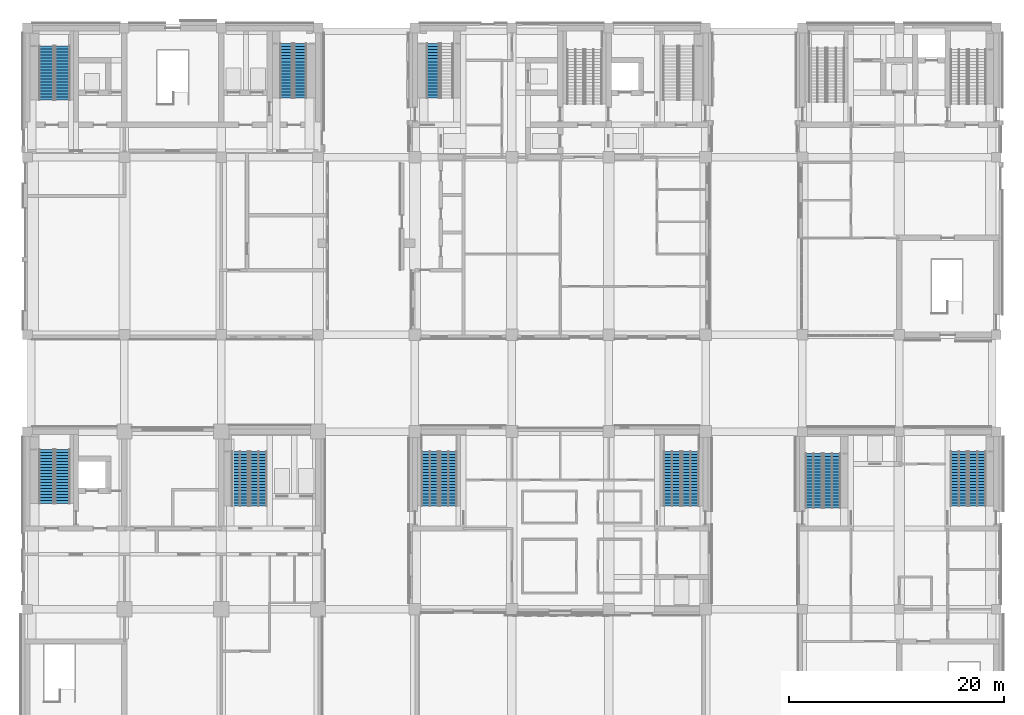
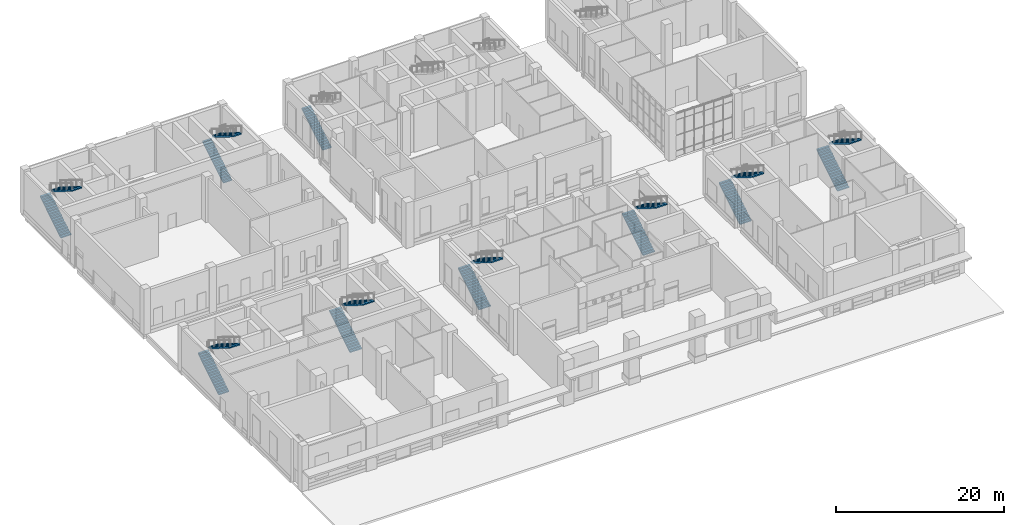
# One storey, part 20 of 35: 17 stair flights, 9 elements without a shape of their own.
"""IFC4 building model written with IfcOpenShell, lengths in metres."""

from ifc_helpers import new_model, si_unit, direction, frame, origin, place, context, subcontext, project, spatial, polyline, outline, extrude, material, type_object, element, aggregate, save


model = new_model("IFC4")

# Units and contexts
model_context = context("Model", 3, precision=1e-05, world=origin(), true_north=direction((0.0, 1.0)))
body_context = subcontext(model_context, "Body", "Model", "MODEL_VIEW")
ifc_project = project(units=[si_unit("LENGTHUNIT", "METRE"), si_unit("AREAUNIT", "SQUARE_METRE"), si_unit("VOLUMEUNIT", "CUBIC_METRE"), si_unit("PLANEANGLEUNIT", "RADIAN"), si_unit("MASSUNIT", "GRAM", prefix="KILO")], contexts=[model_context])

# Site, building, storey
site_placement = place(None, origin())
site = spatial("IfcSite", under=ifc_project, at=site_placement, CompositionType="ELEMENT")
building_placement = place(site_placement, origin())
building = spatial("IfcBuilding", under=site, at=building_placement, Name="Aurelan Courthouse", CompositionType="ELEMENT")
storey_placement = place(building_placement, origin())
storey = spatial("IfcBuildingStorey", under=building, at=storey_placement, Name="L00", CompositionType="ELEMENT", Elevation=0.0)

# Stair, stair flight
ifc_material = material(Name="Concrete C30", Category="concrete")
stair_type_1 = type_object("IfcStairType", Name="Half-turn stair 1200 wide 38 risers", PredefinedType="HALF_TURN_STAIR", material=ifc_material)
stair_1_placement = place(storey_placement, origin())
stair_1 = element("IfcStair", 1, at=stair_1_placement, inside=storey, type_object=stair_type_1, Name="Stair CS-2-L00", PredefinedType="HALF_TURN_STAIR")
stair_flight_type_1 = type_object("IfcStairFlightType", Name="Stair flight 1200 wide 19 risers", PredefinedType="STRAIGHT", material=ifc_material)
stair_flight_1_placement = place(storey_placement, frame((37.659912109375, 59.510009765625, 0.0), z_axis=(0.0, 0.0, 1.0), x_axis=(0.0, 1.0, 0.0)))
stair_flight_1 = element("IfcStairFlight", 2, at=stair_flight_1_placement, type_object=stair_flight_type_1, Name="Stair CS-2-L00 flight 1", NumberOfRisers=19, NumberOfTreads=18, PredefinedType="STRAIGHT", RiserHeight=0.173684211, TreadLength=0.28, context=body_context, shape_type="SweptSolid", body=[
    extrude(outline(polyline([(0.0, 0.0), (0.0, 0.173583984375), (0.280029296875, 0.173583984375), (0.280029296875, 0.347412109375), (0.56005859375, 0.347412109375), (0.56005859375, 0.52099609375), (0.840087890625, 0.52099609375), (0.840087890625, 0.69482421875), (1.1201171875, 0.69482421875), (1.1201171875, 0.868408203125), (1.39990234375, 0.868408203125), (1.39990234375, 1.0419921875), (1.679931640625, 1.0419921875), (1.679931640625, 1.2158203125), (1.9599609375, 1.2158203125), (1.9599609375, 1.389404296875), (2.239990234375, 1.389404296875), (2.239990234375, 1.563232421875), (2.52001953125, 1.563232421875), (2.52001953125, 1.73681640625), (2.800048828125, 1.73681640625), (2.800048828125, 1.91064453125), (3.080078125, 1.91064453125), (3.080078125, 2.084228515625), (3.360107421875, 2.084228515625), (3.360107421875, 2.2578125), (3.639892578125, 2.2578125), (3.639892578125, 2.431640625), (3.919921875, 2.431640625), (3.919921875, 2.605224609375), (4.199951171875, 2.605224609375), (4.199951171875, 2.779052734375), (4.47998046875, 2.779052734375), (4.47998046875, 2.95263671875), (4.760009765625, 2.95263671875), (4.760009765625, 3.126220703125), (5.0400390625, 3.126220703125), (5.0400390625, 3.300048828125), (5.0400390625, 2.949951171875), (0.284423828125, 0.0), (0.0, 0.0)])), frame((0.0, 0.60009765625, 0.0), z_axis=(0.0, -1.0, 0.0), x_axis=(1.0, 0.0, 0.0)), (0.0, 0.0, 1.0), 1.199951171875),
])
aggregate(stair_1, [stair_flight_1])

# Stair, stair flights
stair_2_placement = place(storey_placement, origin())
stair_2 = element("IfcStair", 3, at=stair_2_placement, inside=storey, type_object=stair_type_1, Name="Stair CS-6-L00", PredefinedType="HALF_TURN_STAIR")
stair_flight_2_placement = place(storey_placement, frame((24.0400390625, 59.510009765625, 0.0), z_axis=(0.0, 0.0, 1.0), x_axis=(0.0, 1.0, 0.0)))
stair_flight_2 = element("IfcStairFlight", 4, at=stair_flight_2_placement, type_object=stair_flight_type_1, Name="Stair CS-6-L00 flight 1", NumberOfRisers=19, NumberOfTreads=18, PredefinedType="STRAIGHT", RiserHeight=0.173684211, TreadLength=0.28, context=body_context, shape_type="SweptSolid", body=[
    extrude(outline(polyline([(0.0, 0.0), (0.0, 0.173583984375), (0.280029296875, 0.173583984375), (0.280029296875, 0.347412109375), (0.56005859375, 0.347412109375), (0.56005859375, 0.52099609375), (0.840087890625, 0.52099609375), (0.840087890625, 0.69482421875), (1.1201171875, 0.69482421875), (1.1201171875, 0.868408203125), (1.39990234375, 0.868408203125), (1.39990234375, 1.0419921875), (1.679931640625, 1.0419921875), (1.679931640625, 1.2158203125), (1.9599609375, 1.2158203125), (1.9599609375, 1.389404296875), (2.239990234375, 1.389404296875), (2.239990234375, 1.563232421875), (2.52001953125, 1.563232421875), (2.52001953125, 1.73681640625), (2.800048828125, 1.73681640625), (2.800048828125, 1.91064453125), (3.080078125, 1.91064453125), (3.080078125, 2.084228515625), (3.360107421875, 2.084228515625), (3.360107421875, 2.2578125), (3.639892578125, 2.2578125), (3.639892578125, 2.431640625), (3.919921875, 2.431640625), (3.919921875, 2.605224609375), (4.199951171875, 2.605224609375), (4.199951171875, 2.779052734375), (4.47998046875, 2.779052734375), (4.47998046875, 2.95263671875), (4.760009765625, 2.95263671875), (4.760009765625, 3.126220703125), (5.0400390625, 3.126220703125), (5.0400390625, 3.300048828125), (5.0400390625, 2.949951171875), (0.284423828125, 0.0), (0.0, 0.0)])), frame((0.0, 0.60009765625, 0.0), z_axis=(0.0, -1.0, 0.0), x_axis=(1.0, 0.0, 0.0)), (0.0, 0.0, 1.0), 1.199951171875),
])
stair_flight_3_placement = place(storey_placement, frame((25.340087890625, 64.550048828125, 3.300048828125), z_axis=(0.0, 0.0, 1.0), x_axis=(0.0, -1.0, 0.0)))
stair_flight_3 = element("IfcStairFlight", 5, at=stair_flight_3_placement, type_object=stair_flight_type_1, Name="Stair CS-6-L00 flight 2", NumberOfRisers=19, NumberOfTreads=18, PredefinedType="STRAIGHT", RiserHeight=0.173684211, TreadLength=0.28, context=body_context, shape_type="SweptSolid", body=[
    extrude(outline(polyline([(0.0, 0.0), (0.0, 0.173583984375), (0.280029296875, 0.173583984375), (0.280029296875, 0.347412109375), (0.56005859375, 0.347412109375), (0.56005859375, 0.52099609375), (0.840087890625, 0.52099609375), (0.840087890625, 0.69482421875), (1.1201171875, 0.69482421875), (1.1201171875, 0.868408203125), (1.39990234375, 0.868408203125), (1.39990234375, 1.0419921875), (1.679931640625, 1.0419921875), (1.679931640625, 1.2158203125), (1.9599609375, 1.2158203125), (1.9599609375, 1.389404296875), (2.239990234375, 1.389404296875), (2.239990234375, 1.563232421875), (2.52001953125, 1.563232421875), (2.52001953125, 1.73681640625), (2.800048828125, 1.73681640625), (2.800048828125, 1.91064453125), (3.080078125, 1.91064453125), (3.080078125, 2.084228515625), (3.360107421875, 2.084228515625), (3.360107421875, 2.2578125), (3.639892578125, 2.2578125), (3.639892578125, 2.431640625), (3.919921875, 2.431640625), (3.919921875, 2.605224609375), (4.199951171875, 2.605224609375), (4.199951171875, 2.779052734375), (4.47998046875, 2.779052734375), (4.47998046875, 2.95263671875), (4.760009765625, 2.95263671875), (4.760009765625, 3.126220703125), (5.0400390625, 3.126220703125), (5.0400390625, 3.300048828125), (5.0400390625, 2.949951171875), (0.284423828125, 0.0), (0.0, 0.0)])), frame((0.0, 0.60009765625, 0.0), z_axis=(0.0, -1.0, 0.0), x_axis=(1.0, 0.0, 0.0)), (0.0, 0.0, 1.0), 1.199951171875),
])
aggregate(stair_2, [stair_flight_2, stair_flight_3])

stair_type_2 = type_object("IfcStairType", Name="Half-turn stair 1400 wide 38 risers", PredefinedType="HALF_TURN_STAIR", material=ifc_material)
stair_3_placement = place(storey_placement, origin())
stair_3 = element("IfcStair", 6, at=stair_3_placement, inside=storey, type_object=stair_type_2, Name="Stair ST-5B-L00", PredefinedType="HALF_TURN_STAIR")
stair_flight_type_2 = type_object("IfcStairFlightType", Name="Stair flight 1400 wide 19 risers", PredefinedType="STRAIGHT", material=ifc_material)
stair_flight_4_placement = place(storey_placement, frame((1.760009765625, 21.81005859375, 0.0), z_axis=(0.0, 0.0, 1.0), x_axis=(0.0, 1.0, 0.0)))
stair_flight_4 = element("IfcStairFlight", 7, at=stair_flight_4_placement, type_object=stair_flight_type_2, Name="Stair ST-5B-L00 flight 1", NumberOfRisers=19, NumberOfTreads=18, PredefinedType="STRAIGHT", RiserHeight=0.173684211, TreadLength=0.28, context=body_context, shape_type="SweptSolid", body=[
    extrude(outline(polyline([(0.0, 0.0), (0.0, 0.173583984375), (0.280029296875, 0.173583984375), (0.280029296875, 0.347412109375), (0.56005859375, 0.347412109375), (0.56005859375, 0.52099609375), (0.840087890625, 0.52099609375), (0.840087890625, 0.69482421875), (1.1201171875, 0.69482421875), (1.1201171875, 0.868408203125), (1.39990234375, 0.868408203125), (1.39990234375, 1.0419921875), (1.679931640625, 1.0419921875), (1.679931640625, 1.2158203125), (1.9599609375, 1.2158203125), (1.9599609375, 1.389404296875), (2.239990234375, 1.389404296875), (2.239990234375, 1.563232421875), (2.52001953125, 1.563232421875), (2.52001953125, 1.73681640625), (2.800048828125, 1.73681640625), (2.800048828125, 1.91064453125), (3.080078125, 1.91064453125), (3.080078125, 2.084228515625), (3.360107421875, 2.084228515625), (3.360107421875, 2.2578125), (3.639892578125, 2.2578125), (3.639892578125, 2.431640625), (3.919921875, 2.431640625), (3.919921875, 2.605224609375), (4.199951171875, 2.605224609375), (4.199951171875, 2.779052734375), (4.47998046875, 2.779052734375), (4.47998046875, 2.95263671875), (4.760009765625, 2.95263671875), (4.760009765625, 3.126220703125), (5.0400390625, 3.126220703125), (5.0400390625, 3.300048828125), (5.0400390625, 2.949951171875), (0.284423828125, 0.0), (0.0, 0.0)])), frame((0.0, 0.699951171875, 0.0), z_axis=(0.0, -1.0, 0.0), x_axis=(1.0, 0.0, 0.0)), (0.0, 0.0, 1.0), 1.39990234375),
])
stair_flight_5_placement = place(storey_placement, frame((3.260009765625, 26.85009765625, 3.300048828125), z_axis=(0.0, 0.0, 1.0), x_axis=(0.0, -1.0, 0.0)))
stair_flight_5 = element("IfcStairFlight", 8, at=stair_flight_5_placement, type_object=stair_flight_type_2, Name="Stair ST-5B-L00 flight 2", NumberOfRisers=19, NumberOfTreads=18, PredefinedType="STRAIGHT", RiserHeight=0.173684211, TreadLength=0.28, context=body_context, shape_type="SweptSolid", body=[
    extrude(outline(polyline([(0.0, 0.0), (0.0, 0.173583984375), (0.280029296875, 0.173583984375), (0.280029296875, 0.347412109375), (0.56005859375, 0.347412109375), (0.56005859375, 0.52099609375), (0.840087890625, 0.52099609375), (0.840087890625, 0.69482421875), (1.1201171875, 0.69482421875), (1.1201171875, 0.868408203125), (1.39990234375, 0.868408203125), (1.39990234375, 1.0419921875), (1.679931640625, 1.0419921875), (1.679931640625, 1.2158203125), (1.9599609375, 1.2158203125), (1.9599609375, 1.389404296875), (2.239990234375, 1.389404296875), (2.239990234375, 1.563232421875), (2.52001953125, 1.563232421875), (2.52001953125, 1.73681640625), (2.800048828125, 1.73681640625), (2.800048828125, 1.91064453125), (3.080078125, 1.91064453125), (3.080078125, 2.084228515625), (3.360107421875, 2.084228515625), (3.360107421875, 2.2578125), (3.639892578125, 2.2578125), (3.639892578125, 2.431640625), (3.919921875, 2.431640625), (3.919921875, 2.605224609375), (4.199951171875, 2.605224609375), (4.199951171875, 2.779052734375), (4.47998046875, 2.779052734375), (4.47998046875, 2.95263671875), (4.760009765625, 2.95263671875), (4.760009765625, 3.126220703125), (5.0400390625, 3.126220703125), (5.0400390625, 3.300048828125), (5.0400390625, 2.949951171875), (0.284423828125, 0.0), (0.0, 0.0)])), frame((0.0, 0.699951171875, 0.0), z_axis=(0.0, -1.0, 0.0), x_axis=(1.0, 0.0, 0.0)), (0.0, 0.0, 1.0), 1.39990234375),
])
aggregate(stair_3, [stair_flight_4, stair_flight_5])

stair_4_placement = place(storey_placement, origin())
stair_4 = element("IfcStair", 9, at=stair_4_placement, inside=storey, type_object=stair_type_2, Name="Stair ST-6-L00", PredefinedType="HALF_TURN_STAIR")
stair_flight_6_placement = place(storey_placement, frame((1.760009765625, 59.31005859375, 0.0), z_axis=(0.0, 0.0, 1.0), x_axis=(0.0, 1.0, 0.0)))
stair_flight_6 = element("IfcStairFlight", 10, at=stair_flight_6_placement, type_object=stair_flight_type_2, Name="Stair ST-6-L00 flight 1", NumberOfRisers=19, NumberOfTreads=18, PredefinedType="STRAIGHT", RiserHeight=0.173684211, TreadLength=0.28, context=body_context, shape_type="SweptSolid", body=[
    extrude(outline(polyline([(0.0, 0.0), (0.0, 0.173583984375), (0.280029296875, 0.173583984375), (0.280029296875, 0.347412109375), (0.56005859375, 0.347412109375), (0.56005859375, 0.52099609375), (0.840087890625, 0.52099609375), (0.840087890625, 0.69482421875), (1.1201171875, 0.69482421875), (1.1201171875, 0.868408203125), (1.39990234375, 0.868408203125), (1.39990234375, 1.0419921875), (1.679931640625, 1.0419921875), (1.679931640625, 1.2158203125), (1.9599609375, 1.2158203125), (1.9599609375, 1.389404296875), (2.239990234375, 1.389404296875), (2.239990234375, 1.563232421875), (2.52001953125, 1.563232421875), (2.52001953125, 1.73681640625), (2.800048828125, 1.73681640625), (2.800048828125, 1.91064453125), (3.080078125, 1.91064453125), (3.080078125, 2.084228515625), (3.360107421875, 2.084228515625), (3.360107421875, 2.2578125), (3.639892578125, 2.2578125), (3.639892578125, 2.431640625), (3.919921875, 2.431640625), (3.919921875, 2.605224609375), (4.199951171875, 2.605224609375), (4.199951171875, 2.779052734375), (4.47998046875, 2.779052734375), (4.47998046875, 2.95263671875), (4.760009765625, 2.95263671875), (4.760009765625, 3.126220703125), (5.0400390625, 3.126220703125), (5.0400390625, 3.300048828125), (5.0400390625, 2.949951171875), (0.284423828125, 0.0), (0.0, 0.0)])), frame((0.0, 0.699951171875, 0.0), z_axis=(0.0, -1.0, 0.0), x_axis=(1.0, 0.0, 0.0)), (0.0, 0.0, 1.0), 1.39990234375),
])
stair_flight_7_placement = place(storey_placement, frame((3.260009765625, 64.35009765625, 3.300048828125), z_axis=(0.0, 0.0, 1.0), x_axis=(0.0, -1.0, 0.0)))
stair_flight_7 = element("IfcStairFlight", 11, at=stair_flight_7_placement, type_object=stair_flight_type_2, Name="Stair ST-6-L00 flight 2", NumberOfRisers=19, NumberOfTreads=18, PredefinedType="STRAIGHT", RiserHeight=0.173684211, TreadLength=0.28, context=body_context, shape_type="SweptSolid", body=[
    extrude(outline(polyline([(0.0, 0.0), (0.0, 0.173583984375), (0.280029296875, 0.173583984375), (0.280029296875, 0.347412109375), (0.56005859375, 0.347412109375), (0.56005859375, 0.52099609375), (0.840087890625, 0.52099609375), (0.840087890625, 0.69482421875), (1.1201171875, 0.69482421875), (1.1201171875, 0.868408203125), (1.39990234375, 0.868408203125), (1.39990234375, 1.0419921875), (1.679931640625, 1.0419921875), (1.679931640625, 1.2158203125), (1.9599609375, 1.2158203125), (1.9599609375, 1.389404296875), (2.239990234375, 1.389404296875), (2.239990234375, 1.563232421875), (2.52001953125, 1.563232421875), (2.52001953125, 1.73681640625), (2.800048828125, 1.73681640625), (2.800048828125, 1.91064453125), (3.080078125, 1.91064453125), (3.080078125, 2.084228515625), (3.360107421875, 2.084228515625), (3.360107421875, 2.2578125), (3.639892578125, 2.2578125), (3.639892578125, 2.431640625), (3.919921875, 2.431640625), (3.919921875, 2.605224609375), (4.199951171875, 2.605224609375), (4.199951171875, 2.779052734375), (4.47998046875, 2.779052734375), (4.47998046875, 2.95263671875), (4.760009765625, 2.95263671875), (4.760009765625, 3.126220703125), (5.0400390625, 3.126220703125), (5.0400390625, 3.300048828125), (5.0400390625, 2.949951171875), (0.284423828125, 0.0), (0.0, 0.0)])), frame((0.0, 0.699951171875, 0.0), z_axis=(0.0, -1.0, 0.0), x_axis=(1.0, 0.0, 0.0)), (0.0, 0.0, 1.0), 1.39990234375),
])
aggregate(stair_4, [stair_flight_6, stair_flight_7])

stair_type_3 = type_object("IfcStairType", Name="Half-turn stair 1600 wide 38 risers", PredefinedType="HALF_TURN_STAIR", material=ifc_material)
stair_5_placement = place(storey_placement, origin())
stair_5 = element("IfcStair", 12, at=stair_5_placement, inside=storey, type_object=stair_type_3, Name="Stair ST-1E-L00", PredefinedType="HALF_TURN_STAIR")
stair_flight_type_3 = type_object("IfcStairFlightType", Name="Stair flight 1600 wide 19 risers", PredefinedType="STRAIGHT", material=ifc_material)
stair_flight_8_placement = place(storey_placement, frame((59.89990234375, 21.610107421875, 0.0), z_axis=(0.0, 0.0, 1.0), x_axis=(0.0, 1.0, 0.0)))
stair_flight_8 = element("IfcStairFlight", 13, at=stair_flight_8_placement, type_object=stair_flight_type_3, Name="Stair ST-1E-L00 flight 1", NumberOfRisers=19, NumberOfTreads=18, PredefinedType="STRAIGHT", RiserHeight=0.173684211, TreadLength=0.28, context=body_context, shape_type="SweptSolid", body=[
    extrude(outline(polyline([(0.0, 0.0), (0.0, 0.173583984375), (0.280029296875, 0.173583984375), (0.280029296875, 0.347412109375), (0.56005859375, 0.347412109375), (0.56005859375, 0.52099609375), (0.840087890625, 0.52099609375), (0.840087890625, 0.69482421875), (1.1201171875, 0.69482421875), (1.1201171875, 0.868408203125), (1.39990234375, 0.868408203125), (1.39990234375, 1.0419921875), (1.679931640625, 1.0419921875), (1.679931640625, 1.2158203125), (1.9599609375, 1.2158203125), (1.9599609375, 1.389404296875), (2.239990234375, 1.389404296875), (2.239990234375, 1.563232421875), (2.52001953125, 1.563232421875), (2.52001953125, 1.73681640625), (2.800048828125, 1.73681640625), (2.800048828125, 1.91064453125), (3.080078125, 1.91064453125), (3.080078125, 2.084228515625), (3.360107421875, 2.084228515625), (3.360107421875, 2.2578125), (3.639892578125, 2.2578125), (3.639892578125, 2.431640625), (3.919921875, 2.431640625), (3.919921875, 2.605224609375), (4.199951171875, 2.605224609375), (4.199951171875, 2.779052734375), (4.47998046875, 2.779052734375), (4.47998046875, 2.95263671875), (4.760009765625, 2.95263671875), (4.760009765625, 3.126220703125), (5.0400390625, 3.126220703125), (5.0400390625, 3.300048828125), (5.0400390625, 2.949951171875), (0.284423828125, 0.0), (0.0, 0.0)])), frame((0.0, 0.800048828125, 0.0), z_axis=(0.0, -1.0, 0.0), x_axis=(1.0, 0.0, 0.0)), (0.0, 0.0, 1.0), 1.60009765625),
])
stair_flight_9_placement = place(storey_placement, frame((61.60009765625, 26.64990234375, 3.300048828125), z_axis=(0.0, 0.0, 1.0), x_axis=(0.0, -1.0, 0.0)))
stair_flight_9 = element("IfcStairFlight", 14, at=stair_flight_9_placement, type_object=stair_flight_type_3, Name="Stair ST-1E-L00 flight 2", NumberOfRisers=19, NumberOfTreads=18, PredefinedType="STRAIGHT", RiserHeight=0.173684211, TreadLength=0.28, context=body_context, shape_type="SweptSolid", body=[
    extrude(outline(polyline([(0.0, 0.0), (0.0, 0.173583984375), (0.280029296875, 0.173583984375), (0.280029296875, 0.347412109375), (0.56005859375, 0.347412109375), (0.56005859375, 0.52099609375), (0.840087890625, 0.52099609375), (0.840087890625, 0.69482421875), (1.1201171875, 0.69482421875), (1.1201171875, 0.868408203125), (1.39990234375, 0.868408203125), (1.39990234375, 1.0419921875), (1.679931640625, 1.0419921875), (1.679931640625, 1.2158203125), (1.9599609375, 1.2158203125), (1.9599609375, 1.389404296875), (2.239990234375, 1.389404296875), (2.239990234375, 1.563232421875), (2.52001953125, 1.563232421875), (2.52001953125, 1.73681640625), (2.800048828125, 1.73681640625), (2.800048828125, 1.91064453125), (3.080078125, 1.91064453125), (3.080078125, 2.084228515625), (3.360107421875, 2.084228515625), (3.360107421875, 2.2578125), (3.639892578125, 2.2578125), (3.639892578125, 2.431640625), (3.919921875, 2.431640625), (3.919921875, 2.605224609375), (4.199951171875, 2.605224609375), (4.199951171875, 2.779052734375), (4.47998046875, 2.779052734375), (4.47998046875, 2.95263671875), (4.760009765625, 2.95263671875), (4.760009765625, 3.126220703125), (5.0400390625, 3.126220703125), (5.0400390625, 3.300048828125), (5.0400390625, 2.949951171875), (0.284423828125, 0.0), (0.0, 0.0)])), frame((0.0, 0.800048828125, 0.0), z_axis=(0.0, -1.0, 0.0), x_axis=(1.0, 0.0, 0.0)), (0.0, 0.0, 1.0), 1.60009765625),
])
aggregate(stair_5, [stair_flight_8, stair_flight_9])

stair_6_placement = place(storey_placement, origin())
stair_6 = element("IfcStair", 15, at=stair_6_placement, inside=storey, type_object=stair_type_3, Name="Stair ST-1W-L00", PredefinedType="HALF_TURN_STAIR")
stair_flight_10_placement = place(storey_placement, frame((37.39990234375, 21.610107421875, 0.0), z_axis=(0.0, 0.0, 1.0), x_axis=(0.0, 1.0, 0.0)))
stair_flight_10 = element("IfcStairFlight", 16, at=stair_flight_10_placement, type_object=stair_flight_type_3, Name="Stair ST-1W-L00 flight 1", NumberOfRisers=19, NumberOfTreads=18, PredefinedType="STRAIGHT", RiserHeight=0.173684211, TreadLength=0.28, context=body_context, shape_type="SweptSolid", body=[
    extrude(outline(polyline([(0.0, 0.0), (0.0, 0.173583984375), (0.280029296875, 0.173583984375), (0.280029296875, 0.347412109375), (0.56005859375, 0.347412109375), (0.56005859375, 0.52099609375), (0.840087890625, 0.52099609375), (0.840087890625, 0.69482421875), (1.1201171875, 0.69482421875), (1.1201171875, 0.868408203125), (1.39990234375, 0.868408203125), (1.39990234375, 1.0419921875), (1.679931640625, 1.0419921875), (1.679931640625, 1.2158203125), (1.9599609375, 1.2158203125), (1.9599609375, 1.389404296875), (2.239990234375, 1.389404296875), (2.239990234375, 1.563232421875), (2.52001953125, 1.563232421875), (2.52001953125, 1.73681640625), (2.800048828125, 1.73681640625), (2.800048828125, 1.91064453125), (3.080078125, 1.91064453125), (3.080078125, 2.084228515625), (3.360107421875, 2.084228515625), (3.360107421875, 2.2578125), (3.639892578125, 2.2578125), (3.639892578125, 2.431640625), (3.919921875, 2.431640625), (3.919921875, 2.605224609375), (4.199951171875, 2.605224609375), (4.199951171875, 2.779052734375), (4.47998046875, 2.779052734375), (4.47998046875, 2.95263671875), (4.760009765625, 2.95263671875), (4.760009765625, 3.126220703125), (5.0400390625, 3.126220703125), (5.0400390625, 3.300048828125), (5.0400390625, 2.949951171875), (0.284423828125, 0.0), (0.0, 0.0)])), frame((0.0, 0.800048828125, 0.0), z_axis=(0.0, -1.0, 0.0), x_axis=(1.0, 0.0, 0.0)), (0.0, 0.0, 1.0), 1.60009765625),
])
stair_flight_11_placement = place(storey_placement, frame((39.10009765625, 26.64990234375, 3.300048828125), z_axis=(0.0, 0.0, 1.0), x_axis=(0.0, -1.0, 0.0)))
stair_flight_11 = element("IfcStairFlight", 17, at=stair_flight_11_placement, type_object=stair_flight_type_3, Name="Stair ST-1W-L00 flight 2", NumberOfRisers=19, NumberOfTreads=18, PredefinedType="STRAIGHT", RiserHeight=0.173684211, TreadLength=0.28, context=body_context, shape_type="SweptSolid", body=[
    extrude(outline(polyline([(0.0, 0.0), (0.0, 0.173583984375), (0.280029296875, 0.173583984375), (0.280029296875, 0.347412109375), (0.56005859375, 0.347412109375), (0.56005859375, 0.52099609375), (0.840087890625, 0.52099609375), (0.840087890625, 0.69482421875), (1.1201171875, 0.69482421875), (1.1201171875, 0.868408203125), (1.39990234375, 0.868408203125), (1.39990234375, 1.0419921875), (1.679931640625, 1.0419921875), (1.679931640625, 1.2158203125), (1.9599609375, 1.2158203125), (1.9599609375, 1.389404296875), (2.239990234375, 1.389404296875), (2.239990234375, 1.563232421875), (2.52001953125, 1.563232421875), (2.52001953125, 1.73681640625), (2.800048828125, 1.73681640625), (2.800048828125, 1.91064453125), (3.080078125, 1.91064453125), (3.080078125, 2.084228515625), (3.360107421875, 2.084228515625), (3.360107421875, 2.2578125), (3.639892578125, 2.2578125), (3.639892578125, 2.431640625), (3.919921875, 2.431640625), (3.919921875, 2.605224609375), (4.199951171875, 2.605224609375), (4.199951171875, 2.779052734375), (4.47998046875, 2.779052734375), (4.47998046875, 2.95263671875), (4.760009765625, 2.95263671875), (4.760009765625, 3.126220703125), (5.0400390625, 3.126220703125), (5.0400390625, 3.300048828125), (5.0400390625, 2.949951171875), (0.284423828125, 0.0), (0.0, 0.0)])), frame((0.0, 0.800048828125, 0.0), z_axis=(0.0, -1.0, 0.0), x_axis=(1.0, 0.0, 0.0)), (0.0, 0.0, 1.0), 1.60009765625),
])
aggregate(stair_6, [stair_flight_10, stair_flight_11])

stair_7_placement = place(storey_placement, origin())
stair_7 = element("IfcStair", 18, at=stair_7_placement, inside=storey, type_object=stair_type_3, Name="Stair ST-4A-L00", PredefinedType="HALF_TURN_STAIR")
stair_flight_12_placement = place(storey_placement, frame((73.050048828125, 21.409912109375, 0.0), z_axis=(0.0, 0.0, 1.0), x_axis=(0.0, 1.0, 0.0)))
stair_flight_12 = element("IfcStairFlight", 19, at=stair_flight_12_placement, type_object=stair_flight_type_3, Name="Stair ST-4A-L00 flight 1", NumberOfRisers=19, NumberOfTreads=18, PredefinedType="STRAIGHT", RiserHeight=0.173684211, TreadLength=0.28, context=body_context, shape_type="SweptSolid", body=[
    extrude(outline(polyline([(0.0, 0.0), (0.0, 0.173583984375), (0.280029296875, 0.173583984375), (0.280029296875, 0.347412109375), (0.56005859375, 0.347412109375), (0.56005859375, 0.52099609375), (0.840087890625, 0.52099609375), (0.840087890625, 0.69482421875), (1.1201171875, 0.69482421875), (1.1201171875, 0.868408203125), (1.39990234375, 0.868408203125), (1.39990234375, 1.0419921875), (1.679931640625, 1.0419921875), (1.679931640625, 1.2158203125), (1.9599609375, 1.2158203125), (1.9599609375, 1.389404296875), (2.239990234375, 1.389404296875), (2.239990234375, 1.563232421875), (2.52001953125, 1.563232421875), (2.52001953125, 1.73681640625), (2.800048828125, 1.73681640625), (2.800048828125, 1.91064453125), (3.080078125, 1.91064453125), (3.080078125, 2.084228515625), (3.360107421875, 2.084228515625), (3.360107421875, 2.2578125), (3.639892578125, 2.2578125), (3.639892578125, 2.431640625), (3.919921875, 2.431640625), (3.919921875, 2.605224609375), (4.199951171875, 2.605224609375), (4.199951171875, 2.779052734375), (4.47998046875, 2.779052734375), (4.47998046875, 2.95263671875), (4.760009765625, 2.95263671875), (4.760009765625, 3.126220703125), (5.0400390625, 3.126220703125), (5.0400390625, 3.300048828125), (5.0400390625, 2.949951171875), (0.284423828125, 0.0), (0.0, 0.0)])), frame((0.0, 0.800048828125, 0.0), z_axis=(0.0, -1.0, 0.0), x_axis=(1.0, 0.0, 0.0)), (0.0, 0.0, 1.0), 1.60009765625),
])
stair_flight_13_placement = place(storey_placement, frame((74.75, 26.449951171875, 3.300048828125), z_axis=(0.0, 0.0, 1.0), x_axis=(0.0, -1.0, 0.0)))
stair_flight_13 = element("IfcStairFlight", 20, at=stair_flight_13_placement, type_object=stair_flight_type_3, Name="Stair ST-4A-L00 flight 2", NumberOfRisers=19, NumberOfTreads=18, PredefinedType="STRAIGHT", RiserHeight=0.173684211, TreadLength=0.28, context=body_context, shape_type="SweptSolid", body=[
    extrude(outline(polyline([(0.0, 0.0), (0.0, 0.173583984375), (0.280029296875, 0.173583984375), (0.280029296875, 0.347412109375), (0.56005859375, 0.347412109375), (0.56005859375, 0.52099609375), (0.840087890625, 0.52099609375), (0.840087890625, 0.69482421875), (1.1201171875, 0.69482421875), (1.1201171875, 0.868408203125), (1.39990234375, 0.868408203125), (1.39990234375, 1.0419921875), (1.679931640625, 1.0419921875), (1.679931640625, 1.2158203125), (1.9599609375, 1.2158203125), (1.9599609375, 1.389404296875), (2.239990234375, 1.389404296875), (2.239990234375, 1.563232421875), (2.52001953125, 1.563232421875), (2.52001953125, 1.73681640625), (2.800048828125, 1.73681640625), (2.800048828125, 1.91064453125), (3.080078125, 1.91064453125), (3.080078125, 2.084228515625), (3.360107421875, 2.084228515625), (3.360107421875, 2.2578125), (3.639892578125, 2.2578125), (3.639892578125, 2.431640625), (3.919921875, 2.431640625), (3.919921875, 2.605224609375), (4.199951171875, 2.605224609375), (4.199951171875, 2.779052734375), (4.47998046875, 2.779052734375), (4.47998046875, 2.95263671875), (4.760009765625, 2.95263671875), (4.760009765625, 3.126220703125), (5.0400390625, 3.126220703125), (5.0400390625, 3.300048828125), (5.0400390625, 2.949951171875), (0.284423828125, 0.0), (0.0, 0.0)])), frame((0.0, 0.800048828125, 0.0), z_axis=(0.0, -1.0, 0.0), x_axis=(1.0, 0.0, 0.0)), (0.0, 0.0, 1.0), 1.60009765625),
])
aggregate(stair_7, [stair_flight_12, stair_flight_13])

stair_8_placement = place(storey_placement, origin())
stair_8 = element("IfcStair", 21, at=stair_8_placement, inside=storey, type_object=stair_type_3, Name="Stair ST-4B-L00", PredefinedType="HALF_TURN_STAIR")
stair_flight_14_placement = place(storey_placement, frame((86.550048828125, 21.610107421875, 0.0), z_axis=(0.0, 0.0, 1.0), x_axis=(0.0, 1.0, 0.0)))
stair_flight_14 = element("IfcStairFlight", 22, at=stair_flight_14_placement, type_object=stair_flight_type_3, Name="Stair ST-4B-L00 flight 1", NumberOfRisers=19, NumberOfTreads=18, PredefinedType="STRAIGHT", RiserHeight=0.173684211, TreadLength=0.28, context=body_context, shape_type="SweptSolid", body=[
    extrude(outline(polyline([(0.0, 0.0), (0.0, 0.173583984375), (0.280029296875, 0.173583984375), (0.280029296875, 0.347412109375), (0.56005859375, 0.347412109375), (0.56005859375, 0.52099609375), (0.840087890625, 0.52099609375), (0.840087890625, 0.69482421875), (1.1201171875, 0.69482421875), (1.1201171875, 0.868408203125), (1.39990234375, 0.868408203125), (1.39990234375, 1.0419921875), (1.679931640625, 1.0419921875), (1.679931640625, 1.2158203125), (1.9599609375, 1.2158203125), (1.9599609375, 1.389404296875), (2.239990234375, 1.389404296875), (2.239990234375, 1.563232421875), (2.52001953125, 1.563232421875), (2.52001953125, 1.73681640625), (2.800048828125, 1.73681640625), (2.800048828125, 1.91064453125), (3.080078125, 1.91064453125), (3.080078125, 2.084228515625), (3.360107421875, 2.084228515625), (3.360107421875, 2.2578125), (3.639892578125, 2.2578125), (3.639892578125, 2.431640625), (3.919921875, 2.431640625), (3.919921875, 2.605224609375), (4.199951171875, 2.605224609375), (4.199951171875, 2.779052734375), (4.47998046875, 2.779052734375), (4.47998046875, 2.95263671875), (4.760009765625, 2.95263671875), (4.760009765625, 3.126220703125), (5.0400390625, 3.126220703125), (5.0400390625, 3.300048828125), (5.0400390625, 2.949951171875), (0.284423828125, 0.0), (0.0, 0.0)])), frame((0.0, 0.800048828125, 0.0), z_axis=(0.0, -1.0, 0.0), x_axis=(1.0, 0.0, 0.0)), (0.0, 0.0, 1.0), 1.60009765625),
])
stair_flight_15_placement = place(storey_placement, frame((88.25, 26.64990234375, 3.300048828125), z_axis=(0.0, 0.0, 1.0), x_axis=(0.0, -1.0, 0.0)))
stair_flight_15 = element("IfcStairFlight", 23, at=stair_flight_15_placement, type_object=stair_flight_type_3, Name="Stair ST-4B-L00 flight 2", NumberOfRisers=19, NumberOfTreads=18, PredefinedType="STRAIGHT", RiserHeight=0.173684211, TreadLength=0.28, context=body_context, shape_type="SweptSolid", body=[
    extrude(outline(polyline([(0.0, 0.0), (0.0, 0.173583984375), (0.280029296875, 0.173583984375), (0.280029296875, 0.347412109375), (0.56005859375, 0.347412109375), (0.56005859375, 0.52099609375), (0.840087890625, 0.52099609375), (0.840087890625, 0.69482421875), (1.1201171875, 0.69482421875), (1.1201171875, 0.868408203125), (1.39990234375, 0.868408203125), (1.39990234375, 1.0419921875), (1.679931640625, 1.0419921875), (1.679931640625, 1.2158203125), (1.9599609375, 1.2158203125), (1.9599609375, 1.389404296875), (2.239990234375, 1.389404296875), (2.239990234375, 1.563232421875), (2.52001953125, 1.563232421875), (2.52001953125, 1.73681640625), (2.800048828125, 1.73681640625), (2.800048828125, 1.91064453125), (3.080078125, 1.91064453125), (3.080078125, 2.084228515625), (3.360107421875, 2.084228515625), (3.360107421875, 2.2578125), (3.639892578125, 2.2578125), (3.639892578125, 2.431640625), (3.919921875, 2.431640625), (3.919921875, 2.605224609375), (4.199951171875, 2.605224609375), (4.199951171875, 2.779052734375), (4.47998046875, 2.779052734375), (4.47998046875, 2.95263671875), (4.760009765625, 2.95263671875), (4.760009765625, 3.126220703125), (5.0400390625, 3.126220703125), (5.0400390625, 3.300048828125), (5.0400390625, 2.949951171875), (0.284423828125, 0.0), (0.0, 0.0)])), frame((0.0, 0.800048828125, 0.0), z_axis=(0.0, -1.0, 0.0), x_axis=(1.0, 0.0, 0.0)), (0.0, 0.0, 1.0), 1.60009765625),
])
aggregate(stair_8, [stair_flight_14, stair_flight_15])

stair_9_placement = place(storey_placement, origin())
stair_9 = element("IfcStair", 24, at=stair_9_placement, inside=storey, type_object=stair_type_3, Name="Stair ST-5A-L00", PredefinedType="HALF_TURN_STAIR")
stair_flight_16_placement = place(storey_placement, frame((19.75, 21.610107421875, 0.0), z_axis=(0.0, 0.0, 1.0), x_axis=(0.0, 1.0, 0.0)))
stair_flight_16 = element("IfcStairFlight", 25, at=stair_flight_16_placement, type_object=stair_flight_type_3, Name="Stair ST-5A-L00 flight 1", NumberOfRisers=19, NumberOfTreads=18, PredefinedType="STRAIGHT", RiserHeight=0.173684211, TreadLength=0.28, context=body_context, shape_type="SweptSolid", body=[
    extrude(outline(polyline([(0.0, 0.0), (0.0, 0.173583984375), (0.280029296875, 0.173583984375), (0.280029296875, 0.347412109375), (0.56005859375, 0.347412109375), (0.56005859375, 0.52099609375), (0.840087890625, 0.52099609375), (0.840087890625, 0.69482421875), (1.1201171875, 0.69482421875), (1.1201171875, 0.868408203125), (1.39990234375, 0.868408203125), (1.39990234375, 1.0419921875), (1.679931640625, 1.0419921875), (1.679931640625, 1.2158203125), (1.9599609375, 1.2158203125), (1.9599609375, 1.389404296875), (2.239990234375, 1.389404296875), (2.239990234375, 1.563232421875), (2.52001953125, 1.563232421875), (2.52001953125, 1.73681640625), (2.800048828125, 1.73681640625), (2.800048828125, 1.91064453125), (3.080078125, 1.91064453125), (3.080078125, 2.084228515625), (3.360107421875, 2.084228515625), (3.360107421875, 2.2578125), (3.639892578125, 2.2578125), (3.639892578125, 2.431640625), (3.919921875, 2.431640625), (3.919921875, 2.605224609375), (4.199951171875, 2.605224609375), (4.199951171875, 2.779052734375), (4.47998046875, 2.779052734375), (4.47998046875, 2.95263671875), (4.760009765625, 2.95263671875), (4.760009765625, 3.126220703125), (5.0400390625, 3.126220703125), (5.0400390625, 3.300048828125), (5.0400390625, 2.949951171875), (0.284423828125, 0.0), (0.0, 0.0)])), frame((0.0, 0.800048828125, 0.0), z_axis=(0.0, -1.0, 0.0), x_axis=(1.0, 0.0, 0.0)), (0.0, 0.0, 1.0), 1.60009765625),
])
stair_flight_17_placement = place(storey_placement, frame((21.449951171875, 26.64990234375, 3.300048828125), z_axis=(0.0, 0.0, 1.0), x_axis=(0.0, -1.0, 0.0)))
stair_flight_17 = element("IfcStairFlight", 26, at=stair_flight_17_placement, type_object=stair_flight_type_3, Name="Stair ST-5A-L00 flight 2", NumberOfRisers=19, NumberOfTreads=18, PredefinedType="STRAIGHT", RiserHeight=0.173684211, TreadLength=0.28, context=body_context, shape_type="SweptSolid", body=[
    extrude(outline(polyline([(0.0, 0.0), (0.0, 0.173583984375), (0.280029296875, 0.173583984375), (0.280029296875, 0.347412109375), (0.56005859375, 0.347412109375), (0.56005859375, 0.52099609375), (0.840087890625, 0.52099609375), (0.840087890625, 0.69482421875), (1.1201171875, 0.69482421875), (1.1201171875, 0.868408203125), (1.39990234375, 0.868408203125), (1.39990234375, 1.0419921875), (1.679931640625, 1.0419921875), (1.679931640625, 1.2158203125), (1.9599609375, 1.2158203125), (1.9599609375, 1.389404296875), (2.239990234375, 1.389404296875), (2.239990234375, 1.563232421875), (2.52001953125, 1.563232421875), (2.52001953125, 1.73681640625), (2.800048828125, 1.73681640625), (2.800048828125, 1.91064453125), (3.080078125, 1.91064453125), (3.080078125, 2.084228515625), (3.360107421875, 2.084228515625), (3.360107421875, 2.2578125), (3.639892578125, 2.2578125), (3.639892578125, 2.431640625), (3.919921875, 2.431640625), (3.919921875, 2.605224609375), (4.199951171875, 2.605224609375), (4.199951171875, 2.779052734375), (4.47998046875, 2.779052734375), (4.47998046875, 2.95263671875), (4.760009765625, 2.95263671875), (4.760009765625, 3.126220703125), (5.0400390625, 3.126220703125), (5.0400390625, 3.300048828125), (5.0400390625, 2.949951171875), (0.284423828125, 0.0), (0.0, 0.0)])), frame((0.0, 0.800048828125, 0.0), z_axis=(0.0, -1.0, 0.0), x_axis=(1.0, 0.0, 0.0)), (0.0, 0.0, 1.0), 1.60009765625),
])
aggregate(stair_9, [stair_flight_16, stair_flight_17])

save(model, "model.ifc")
